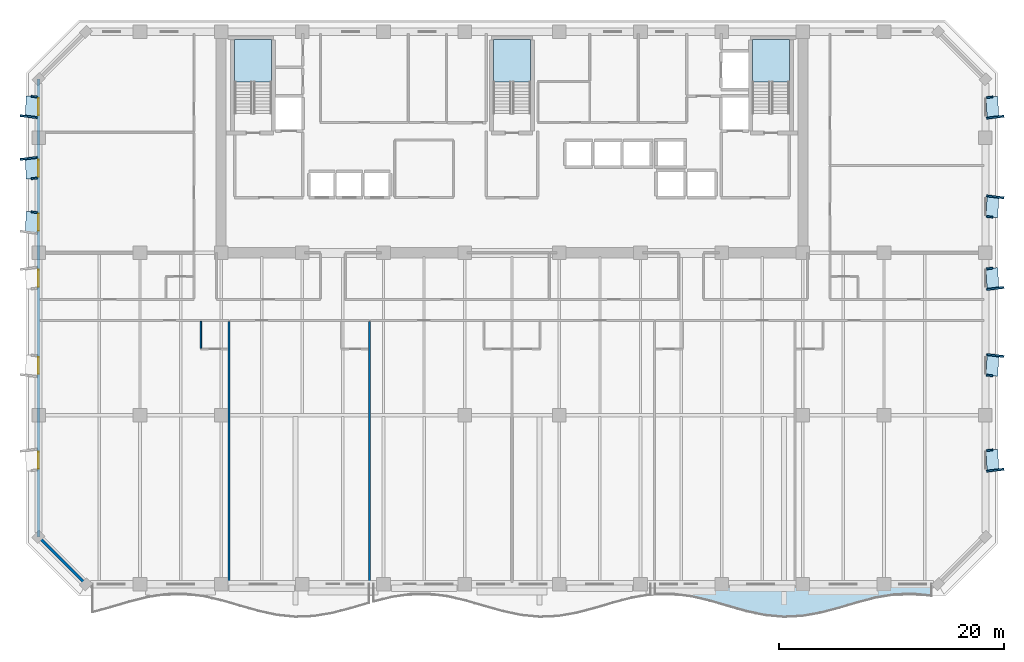
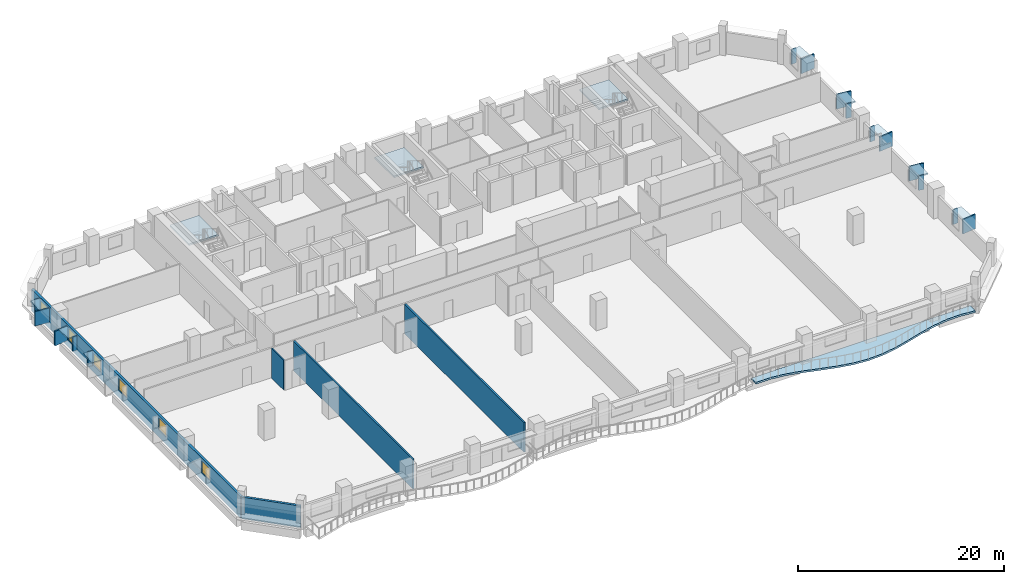
# One storey, part 3 of 15: 23 plates, 6 windows, 5 walls, 4 slabs, 6 openings, 3 elements without a shape of their own.
"""IFC4 building model written with IfcOpenShell, lengths in metres."""

import ifcopenshell
import ifcopenshell.guid

model = None  # the IFC model being written
_history = None  # IfcOwnerHistory: only IFC2X3 demands one
_inside = {}  # id of a spatial element -> (the spatial element, [elements in it])
_under = {}  # id of a project, library or spatial element -> (it, [spatial elements below it])
_declared = {}  # id of a project -> (the project, [libraries it declares])
_typed = {}  # id of a type object -> (the type object, [elements of that type])
_made_of = {}  # id of a material, layer set ... -> (it, [elements and type objects made of it])


def new_model(schema):
    """Start an empty IFC model of exactly this schema.

    Asked for "IFC4X3", IfcOpenShell would pick the latest addendum, in which some entities
    have other attributes; the version numbers below select the first issue.
    IFC2X3 requires an IfcOwnerHistory on every rooted entity: one is made here for all.
    """
    global model, _history
    if schema == "IFC4X3":
        model = ifcopenshell.file(schema_version=(4, 3, 0, 0))
    else:
        model = ifcopenshell.file(schema=schema)
    _inside.clear()
    _under.clear()
    _declared.clear()
    _typed.clear()
    _made_of.clear()
    _history = None
    if model.schema == "IFC2X3":
        org = make("IfcOrganization", Name="unknown")
        user = make(
            "IfcPersonAndOrganization",
            ThePerson=make("IfcPerson", FamilyName="unknown"),
            TheOrganization=org,
        )
        app = make(
            "IfcApplication",
            ApplicationDeveloper=org,
            Version="unknown",
            ApplicationFullName="unknown",
            ApplicationIdentifier="unknown",
        )
        _history = make(
            "IfcOwnerHistory",
            OwningUser=user,
            OwningApplication=app,
            ChangeAction="ADDED",
            CreationDate=0,
        )
    return model


def make(cls, **values):
    """One entity of the class cls with the attributes given. An attribute that is None is left unset."""
    return model.create_entity(
        cls, **{name: value for name, value in values.items() if value is not None}
    )


def rooted(cls, **values):
    """An entity with a GlobalId (a new one), such as an element, a storey or a relation."""
    return make(cls, GlobalId=ifcopenshell.guid.new(), OwnerHistory=_history, **values)


def si_unit(unit_type, name, prefix=None):
    """IfcSIUnit, for example si_unit("LENGTHUNIT", "METRE", prefix="MILLI")."""
    return make("IfcSIUnit", UnitType=unit_type, Prefix=prefix, Name=name)


def assignment(units):
    """IfcUnitAssignment: the units of a project."""
    return None if units is None else make("IfcUnitAssignment", Units=units)


def point(xyz):
    """IfcCartesianPoint."""
    return None if xyz is None else make("IfcCartesianPoint", Coordinates=xyz)


def direction(xyz):
    """IfcDirection."""
    return None if xyz is None else make("IfcDirection", DirectionRatios=xyz)


def frame(location, z_axis=None, x_axis=None):
    """IfcAxis2Placement3D, a coordinate frame: its origin and axes. An axis left out is left unset."""
    return make(
        "IfcAxis2Placement3D",
        Location=point(location),
        Axis=direction(z_axis),
        RefDirection=direction(x_axis),
    )


def frame_2d(location, x_axis=None):
    """IfcAxis2Placement2D, a coordinate frame in the plane: its origin and x axis."""
    return make(
        "IfcAxis2Placement2D", Location=point(location), RefDirection=direction(x_axis)
    )


def origin():
    """The frame at (0, 0, 0) with its axes left unset."""
    return frame((0.0, 0.0, 0.0))


def origin_2d():
    """The frame at (0, 0) in the plane with its x axis left unset."""
    return frame_2d((0.0, 0.0))


def place(relative_to, where):
    """IfcLocalPlacement: puts the frame where relative to a parent placement (None: the world)."""
    return make(
        "IfcLocalPlacement", PlacementRelTo=relative_to, RelativePlacement=where
    )


def context(
    kind, dimensions, precision=None, world=None, true_north=None, identifier=None
):
    """IfcGeometricRepresentationContext, for example the 3D "Model" context."""
    return make(
        "IfcGeometricRepresentationContext",
        ContextIdentifier=identifier,
        ContextType=kind,
        CoordinateSpaceDimension=dimensions,
        Precision=precision,
        WorldCoordinateSystem=world,
        TrueNorth=true_north,
    )


def subcontext(parent, identifier, kind, view, scale=None):
    """IfcGeometricRepresentationSubContext, for example "Body" below "Model"."""
    return make(
        "IfcGeometricRepresentationSubContext",
        ContextIdentifier=identifier,
        ContextType=kind,
        ParentContext=parent,
        TargetScale=scale,
        TargetView=view,
    )


def project(units=None, contexts=None):
    """IfcProject with its units and contexts."""
    return rooted(
        "IfcProject",
        Name="project",
        RepresentationContexts=contexts,
        UnitsInContext=assignment(units),
    )


def spatial(cls, under=None, at=None, **own):
    """A site, building, storey or space (cls), placed at a placement, below another one or the project."""
    s = rooted(cls, ObjectPlacement=at, **own)
    if under is not None:
        _under.setdefault(under.id(), (under, []))[1].append(s)
    return s


def polyline(points):
    """IfcPolyline through the points."""
    return make("IfcPolyline", Points=[point(p) for p in points])


def profile(cls, at=None, kind="AREA", **sizes):
    """A parametric profile (cls). Its sizes go by their IFC names, for example OverallWidth=200.0."""
    return make(cls, ProfileType=kind, Position=at, **sizes)


def rectangle(**sizes):
    """IfcRectangleProfileDef."""
    return profile("IfcRectangleProfileDef", **sizes)


def outline(outer, holes=None, kind="AREA"):
    """IfcArbitraryClosedProfileDef: a profile drawn as a closed curve; with holes, ...WithVoids."""
    if holes is None:
        return make("IfcArbitraryClosedProfileDef", ProfileType=kind, OuterCurve=outer)
    return make(
        "IfcArbitraryProfileDefWithVoids",
        ProfileType=kind,
        OuterCurve=outer,
        InnerCurves=holes,
    )


def extrude(swept, where, along, depth):
    """IfcExtrudedAreaSolid: the profile swept, set in the frame where, extruded along a direction by depth."""
    return make(
        "IfcExtrudedAreaSolid",
        SweptArea=swept,
        Position=where,
        ExtrudedDirection=direction(along),
        Depth=depth,
    )


def shape(context_of_items, identifier, shape_type, items):
    """IfcShapeRepresentation: the items that make up one representation, for example the "Body"."""
    return make(
        "IfcShapeRepresentation",
        ContextOfItems=context_of_items,
        RepresentationIdentifier=identifier,
        RepresentationType=shape_type,
        Items=items,
    )


def material(Name=None, Category=None):
    """IfcMaterial."""
    return make("IfcMaterial", Name=Name, Category=Category)


def layer(
    of_material, thickness, ventilated=None, Name=None, Category=None, Priority=None
):
    """IfcMaterialLayer: one layer of a wall or slab, of a material (None: an air gap)."""
    return make(
        "IfcMaterialLayer",
        Material=of_material,
        LayerThickness=thickness,
        IsVentilated=ventilated,
        Name=Name,
        Category=Category,
        Priority=Priority,
    )


def layer_set(layers, Name=None):
    """IfcMaterialLayerSet."""
    return make("IfcMaterialLayerSet", MaterialLayers=layers, LayerSetName=Name)


def made_of(thing, what):
    """Note that an element or type object is made of a material, layer set ...; save() writes the relation."""
    if what is not None:
        _made_of.setdefault(what.id(), (what, []))[1].append(thing)
    return thing


def type_object(cls, material=None, **own):
    """A type object (cls), such as IfcWallType, which elements share."""
    return made_of(rooted(cls, **own), material)


def element(
    cls,
    number,
    at=None,
    inside=None,
    cuts=None,
    type_object=None,
    material=None,
    context=None,
    identifier="Body",
    shape_type=None,
    held_by="IfcProductDefinitionShape",
    body=None,
    shapes=None,
    **own,
):
    """One element of the class cls, such as IfcWall. Its Tag is "e" and its number.

    at: its placement. inside: the storey or other place that contains it. cuts: it is an
    opening in that element (IfcRelVoidsElement). A single representation is given by context,
    identifier, shape_type and body (its items); several are given by shapes. held_by: the class
    of the entity that holds the representations. save() writes the other relations.
    """
    e = rooted(cls, Tag="e%d" % number, ObjectPlacement=at, **own)
    if body is not None:
        shapes = [shape(context, identifier, shape_type, body)]
    if shapes is not None:
        e.Representation = make(held_by, Representations=shapes)
    if inside is not None:
        _inside.setdefault(inside.id(), (inside, []))[1].append(e)
    if cuts is not None:
        rooted(
            "IfcRelVoidsElement", RelatingBuildingElement=cuts, RelatedOpeningElement=e
        )
    if type_object is not None:
        _typed.setdefault(type_object.id(), (type_object, []))[1].append(e)
    return made_of(e, material)


def fill(opening, filler):
    """IfcRelFillsElement: the door or window that sits in an opening."""
    return rooted(
        "IfcRelFillsElement",
        RelatingOpeningElement=opening,
        RelatedBuildingElement=filler,
    )


def aggregate(whole, parts):
    """IfcRelAggregates: a whole, such as a stair, and the parts it consists of."""
    return rooted("IfcRelAggregates", RelatingObject=whole, RelatedObjects=parts)


def save(model, path):
    """Write the relations noted so far, then the file.

    IfcRelAggregates (storeys below a building ...), IfcRelContainedInSpatialStructure (elements
    in a storey), IfcRelDefinesByType, IfcRelAssociatesMaterial and IfcRelDeclares: one each for
    every whole, place, type object, material and project.
    """
    for whole, parts in _under.values():
        aggregate(whole, parts)
    for where, things in _inside.values():
        rooted(
            "IfcRelContainedInSpatialStructure",
            RelatedElements=things,
            RelatingStructure=where,
        )
    for kind, things in _typed.values():
        rooted("IfcRelDefinesByType", RelatedObjects=things, RelatingType=kind)
    for what, things in _made_of.values():
        rooted("IfcRelAssociatesMaterial", RelatedObjects=things, RelatingMaterial=what)
    for by, libraries in _declared.values():
        rooted("IfcRelDeclares", RelatingContext=by, RelatedDefinitions=libraries)
    model.write(path)


model = new_model("IFC4")

# Units and contexts
model_context = context("Model", 3, precision=1e-05, world=origin(), true_north=direction((0.0, 1.0)))
body_context = subcontext(model_context, "Body", "Model", "MODEL_VIEW")
ifc_project = project(units=[si_unit("LENGTHUNIT", "METRE"), si_unit("AREAUNIT", "SQUARE_METRE"), si_unit("VOLUMEUNIT", "CUBIC_METRE"), si_unit("PLANEANGLEUNIT", "RADIAN"), si_unit("MASSUNIT", "GRAM", prefix="KILO")], contexts=[model_context])

# Site, building, storey
site_placement = place(None, origin())
site = spatial("IfcSite", under=ifc_project, at=site_placement, CompositionType="ELEMENT")
building_placement = place(site_placement, origin())
building = spatial("IfcBuilding", under=site, at=building_placement, Name="Kaelvorn Grand Hotel", CompositionType="ELEMENT")
storey_placement = place(building_placement, frame((0.0, 0.0, 115.550048828125)))
storey = spatial("IfcBuildingStorey", under=building, at=storey_placement, Name="L27", CompositionType="ELEMENT", Elevation=115.550048828125)

# Plates
ifc_material_1 = material(Name="Precast concrete C45/55", Category="concrete")
ifc_layer_1 = layer(ifc_material_1, 0.159912109375)
ifc_layer_set_1 = layer_set([ifc_layer_1], Name="Precast concrete C45/55")
plate_type_1 = type_object("IfcPlateType", Name="PL-FRAME-DEEP-1550", PredefinedType="USERDEFINED", material=ifc_layer_set_1)
for number, where, z_axis, x_axis, name in (
    (1, (84.864990234375, 10.110107421875, 0.68994140625), (0.0, 0.0, 1.0), (-0.121869343405, 0.992546151641, 0.0), "L27 Tilted Precast Window Frame Fin L-E01"),
    (2, (84.864990234375, 20.2900390625, 0.68994140625), (0.0, 0.0, 1.0), (0.121869343405, 0.992546151641, 0.0), "L27 Tilted Precast Window Frame Fin R-E02"),
    (3, (84.864990234375, 26.235107421875, 0.68994140625), (0.0, 0.0, 1.0), (-0.121869343405, 0.992546151641, 0.0), "L27 Tilted Precast Window Frame Fin L-E03"),
    (4, (84.864990234375, 34.364990234375, 0.68994140625), (0.0, 0.0, 1.0), (0.121869343405, 0.992546151641, 0.0), "L27 Tilted Precast Window Frame Fin R-E04"),
    (5, (84.864990234375, 41.425048828125, 0.68994140625), (0.0, 0.0, 1.0), (-0.121869343405, 0.992546151641, 0.0), "L27 Tilted Precast Window Frame Fin L-E05"),
    (6, (-0.864990234375, 37.77490234375, 0.68994140625), (0.0, 0.0, 1.0), (-0.121869343405, 0.992546151641, 0.0), "L27 Tilted Precast Window Frame Fin R-W05"),
    (7, (-0.864990234375, 41.47509765625, 0.68994140625), (0.0, 0.0, 1.0), (0.121869343405, 0.992546151641, 0.0), "L27 Tilted Precast Window Frame Fin L-W06"),
):
    element("IfcPlate", number, at=place(storey_placement, frame(where, z_axis=z_axis, x_axis=x_axis)), inside=storey, type_object=plate_type_1, Name=name, ObjectType="FLANGE_PLATE", PredefinedType="USERDEFINED", context=body_context, shape_type="SweptSolid", body=[
        extrude(rectangle(XDim=0.159912109375, YDim=1.550048828125, at=origin_2d()), origin(), (0.0, 0.0, 1.0), 1.719970703125),
    ])
ifc_layer_2 = layer(ifc_material_1, 0.159912109375)
ifc_layer_set_2 = layer_set([ifc_layer_2], Name="Precast concrete C45/55")
plate_type_2 = type_object("IfcPlateType", Name="PL-FRAME-HEAD-1050", PredefinedType="USERDEFINED", material=ifc_layer_set_2)
for number, where, z_axis, x_axis, name in (
    (8, (84.614990234375, 11.0, 2.25), (0.0, 0.0, 1.0), (-0.054950179912, 0.998489097451, 0.0), "L27 Precast Window Frame Head Hood H-E01"),
    (9, (84.614990234375, 19.39990234375, 2.25), (0.0, 0.0, 1.0), (0.054950179912, 0.998489097451, 0.0), "L27 Precast Window Frame Head Hood H-E02"),
    (10, (84.614990234375, 27.125, 2.25), (0.0, 0.0, 1.0), (-0.054950179912, 0.998489097451, 0.0), "L27 Precast Window Frame Head Hood H-E03"),
    (11, (84.614990234375, 33.47509765625, 2.25), (0.0, 0.0, 1.0), (0.054950179912, 0.998489097451, 0.0), "L27 Precast Window Frame Head Hood H-E04"),
    (12, (84.614990234375, 42.31494140625, 2.25), (0.0, 0.0, 1.0), (-0.054950179912, 0.998489097451, 0.0), "L27 Precast Window Frame Head Hood H-E05"),
    (13, (-0.614990234375, 32.114990234375, 2.25), (0.0, 0.0, 1.0), (0.054950179912, 0.998489097451, 0.0), "L27 Precast Window Frame Head Hood H-W04"),
    (14, (-0.614990234375, 36.885009765625, 2.25), (0.0, 0.0, 1.0), (-0.054950179912, 0.998489097451, 0.0), "L27 Precast Window Frame Head Hood H-W05"),
    (15, (-0.614990234375, 42.364990234375, 2.25), (0.0, 0.0, 1.0), (0.054950179912, 0.998489097451, 0.0), "L27 Precast Window Frame Head Hood H-W06"),
):
    element("IfcPlate", number, at=place(storey_placement, frame(where, z_axis=z_axis, x_axis=x_axis)), inside=storey, type_object=plate_type_2, Name=name, ObjectType="FLANGE_PLATE", PredefinedType="USERDEFINED", context=body_context, shape_type="SweptSolid", body=[
        extrude(rectangle(XDim=1.860107421875, YDim=1.050048828125, at=origin_2d()), origin(), (0.0, 0.0, 1.0), 0.159912109375),
    ])
ifc_layer_3 = layer(ifc_material_1, 0.159912109375)
ifc_layer_set_3 = layer_set([ifc_layer_3], Name="Precast concrete C45/55")
plate_type_3 = type_object("IfcPlateType", Name="PL-FRAME-SHAL-550", PredefinedType="USERDEFINED", material=ifc_layer_set_3)
for number, where, z_axis, x_axis, name in (
    (16, (84.364990234375, 11.889892578125, 0.68994140625), (0.0, 0.0, 1.0), (-0.121869343405, 0.992546151641, 0.0), "L27 Tilted Precast Window Frame Fin R-E01"),
    (17, (84.364990234375, 18.510009765625, 0.68994140625), (0.0, 0.0, 1.0), (0.121869343405, 0.992546151641, 0.0), "L27 Tilted Precast Window Frame Fin L-E02"),
    (18, (84.364990234375, 28.014892578125, 0.68994140625), (0.0, 0.0, 1.0), (-0.121869343405, 0.992546151641, 0.0), "L27 Tilted Precast Window Frame Fin R-E03"),
    (19, (84.364990234375, 32.5849609375, 0.68994140625), (0.0, 0.0, 1.0), (0.121869343405, 0.992546151641, 0.0), "L27 Tilted Precast Window Frame Fin L-E04"),
    (20, (84.364990234375, 43.205078125, 0.68994140625), (0.0, 0.0, 1.0), (-0.121869343405, 0.992546151641, 0.0), "L27 Tilted Precast Window Frame Fin R-E05"),
    (21, (-0.364990234375, 33.0048828125, 0.68994140625), (0.0, 0.0, 1.0), (0.121869343405, 0.992546151641, 0.0), "L27 Tilted Precast Window Frame Fin R-W04"),
    (22, (-0.364990234375, 35.9951171875, 0.68994140625), (0.0, 0.0, 1.0), (-0.121869343405, 0.992546151641, 0.0), "L27 Tilted Precast Window Frame Fin L-W05"),
    (23, (-0.364990234375, 43.2548828125, 0.68994140625), (0.0, 0.0, 1.0), (0.121869343405, 0.992546151641, 0.0), "L27 Tilted Precast Window Frame Fin R-W06"),
):
    element("IfcPlate", number, at=place(storey_placement, frame(where, z_axis=z_axis, x_axis=x_axis)), inside=storey, type_object=plate_type_3, Name=name, ObjectType="FLANGE_PLATE", PredefinedType="USERDEFINED", context=body_context, shape_type="SweptSolid", body=[
        extrude(rectangle(XDim=0.159912109375, YDim=0.550048828125, at=origin_2d()), origin(), (0.0, 0.0, 1.0), 1.719970703125),
    ])

# Slab
ifc_material_2 = material(Name="Concrete C40/50", Category="concrete")
ifc_layer_4 = layer(ifc_material_2, 0.219970703125)
ifc_layer_set_4 = layer_set([ifc_layer_4], Name="Concrete C40/50")
slab_type_1 = type_object("IfcSlabType", Name="SLB-BALC-220-C40", PredefinedType="FLOOR", material=ifc_layer_set_4)
slab_1_placement = place(storey_placement, frame((0.0, 0.0, -0.219970703125)))
element("IfcSlab", 24, at=slab_1_placement, inside=storey, type_object=slab_type_1, Name="L27 Scalloped Wave Balcony Slab 3", PredefinedType="FLOOR", context=body_context, shape_type="SweptSolid", body=[
    extrude(outline(polyline([(54.666748046875, -0.884521484375), (56.30224609375, -0.873779296875), (57.937744140625, -1.08544921875), (59.5732421875, -1.47265625), (61.208984375, -1.94921875), (62.844482421875, -2.4091796875), (64.47998046875, -2.75048828125), (66.115478515625, -2.8974609375), (67.751220703125, -2.817138671875), (69.38671875, -2.52783203125), (71.022216796875, -2.09326171875), (72.65771484375, -1.6103515625), (74.293212890625, -1.186279296875), (75.928955078125, -0.9150390625), (77.564453125, -0.857177734375), (79.199951171875, -1.025146484375), (79.199951171875, 0.0), (54.666748046875, 0.0), (54.666748046875, -0.884521484375)])), origin(), (0.0, 0.0, 1.0), 0.219970703125),
])

# Stair, slab
stair_type = type_object("IfcStairType", Name="STR-DOG-1560-R06", PredefinedType="HALF_TURN_STAIR", material=ifc_material_2)
stair_1_placement = place(storey_placement, origin())
stair_1 = element("IfcStair", 25, at=stair_1_placement, inside=storey, type_object=stair_type, Name="L27 West Core Exit Stair ST1", PredefinedType="HALF_TURN_STAIR")
ifc_layer_5 = layer(ifc_material_2, 0.199951171875)
ifc_layer_set_5 = layer_set([ifc_layer_5], Name="Concrete C40/50")
slab_type_2 = type_object("IfcSlabType", Name="SLB-LAND-200-C40", PredefinedType="LANDING", material=ifc_layer_set_5)
slab_2_placement = place(storey_placement, frame((0.0, 0.0, 1.675048828125)))
slab_2 = element("IfcSlab", 26, at=slab_2_placement, type_object=slab_type_2, Name="ST1 landing 1", PredefinedType="LANDING", context=body_context, shape_type="SweptSolid", body=[
    extrude(outline(polyline([(20.679931640625, 44.56005859375), (20.679931640625, 48.300048828125), (17.39990234375, 48.300048828125), (17.39990234375, 44.56005859375), (20.679931640625, 44.56005859375)])), origin(), (0.0, 0.0, 1.0), 0.199951171875),
])
aggregate(stair_1, [slab_2])

stair_2_placement = place(storey_placement, origin())
stair_2 = element("IfcStair", 27, at=stair_2_placement, inside=storey, type_object=stair_type, Name="L27 Central Core Exit Stair ST2", PredefinedType="HALF_TURN_STAIR")
slab_3_placement = place(storey_placement, frame((0.0, 0.0, 1.675048828125)))
slab_3 = element("IfcSlab", 28, at=slab_3_placement, type_object=slab_type_2, Name="ST2 landing 1", PredefinedType="LANDING", context=body_context, shape_type="SweptSolid", body=[
    extrude(outline(polyline([(43.639892578125, 44.56005859375), (43.639892578125, 48.300048828125), (40.360107421875, 48.300048828125), (40.360107421875, 44.56005859375), (43.639892578125, 44.56005859375)])), origin(), (0.0, 0.0, 1.0), 0.199951171875),
])
aggregate(stair_2, [slab_3])

stair_3_placement = place(storey_placement, origin())
stair_3 = element("IfcStair", 29, at=stair_3_placement, inside=storey, type_object=stair_type, Name="L27 East Core Exit Stair ST3", PredefinedType="HALF_TURN_STAIR")
slab_4_placement = place(storey_placement, frame((0.0, 0.0, 1.675048828125)))
slab_4 = element("IfcSlab", 30, at=slab_4_placement, type_object=slab_type_2, Name="ST3 landing 1", PredefinedType="LANDING", context=body_context, shape_type="SweptSolid", body=[
    extrude(outline(polyline([(66.60009765625, 44.56005859375), (66.60009765625, 48.300048828125), (63.320068359375, 48.300048828125), (63.320068359375, 44.56005859375), (66.60009765625, 44.56005859375)])), origin(), (0.0, 0.0, 1.0), 0.199951171875),
])
aggregate(stair_3, [slab_4])

# Wall, openings, windows
ifc_layer_6 = layer(ifc_material_2, 0.260009765625)
ifc_layer_set_6 = layer_set([ifc_layer_6], Name="Concrete C40/50")
wall_type_1 = type_object("IfcWallType", Name="WL-EXT-260-C40", PredefinedType="SOLIDWALL", material=ifc_layer_set_6)
wall_1_placement = place(storey_placement, frame((0.0, 44.800048828125, 0.0), z_axis=(0.0, 0.0, 1.0), x_axis=(0.0, -1.0, 0.0)))
wall_1 = element("IfcWall", 31, at=wall_1_placement, inside=storey, type_object=wall_type_1, Name="L27 Exterior Architectural Concrete Wall 07", PredefinedType="SOLIDWALL", context=body_context, shape_type="SweptSolid", body=[
    extrude(rectangle(XDim=40.60009765625, YDim=0.260009765625, at=frame_2d((20.300048828125, 0.0))), origin(), (0.0, 0.0, 1.0), 2.56005859375),
])
opening_1_placement = place(wall_1_placement, frame((33.050048828125, 0.0, 0.85009765625)))
opening_1 = element("IfcOpeningElement", 32, at=opening_1_placement, cuts=wall_1, Name="Opening W10", PredefinedType="OPENING", context=body_context, shape_type="SweptSolid", body=[
    extrude(rectangle(XDim=1.5, YDim=1.39990234375, at=frame_2d((0.75, 0.699951171875))), frame((0.0, 0.14013671875, 0.0), z_axis=(0.0, -1.0, 0.0), x_axis=(1.0, 0.0, 0.0)), (0.0, 0.0, 1.0), 0.280029296875),
])
opening_2_placement = place(wall_1_placement, frame((24.64990234375, 0.0, 0.85009765625)))
opening_2 = element("IfcOpeningElement", 33, at=opening_2_placement, cuts=wall_1, Name="Opening W10", PredefinedType="OPENING", context=body_context, shape_type="SweptSolid", body=[
    extrude(rectangle(XDim=1.5, YDim=1.39990234375, at=frame_2d((0.75, 0.699951171875))), frame((0.0, 0.14013671875, 0.0), z_axis=(0.0, -1.0, 0.0), x_axis=(1.0, 0.0, 0.0)), (0.0, 0.0, 1.0), 0.280029296875),
])
opening_3_placement = place(wall_1_placement, frame((16.925048828125, 0.0, 0.85009765625)))
opening_3 = element("IfcOpeningElement", 34, at=opening_3_placement, cuts=wall_1, Name="Opening W10", PredefinedType="OPENING", context=body_context, shape_type="SweptSolid", body=[
    extrude(rectangle(XDim=1.5, YDim=1.39990234375, at=frame_2d((0.75, 0.699951171875))), frame((0.0, 0.14013671875, 0.0), z_axis=(0.0, -1.0, 0.0), x_axis=(1.0, 0.0, 0.0)), (0.0, 0.0, 1.0), 0.280029296875),
])
opening_4_placement = place(wall_1_placement, frame((11.93505859375, 0.0, 0.85009765625)))
opening_4 = element("IfcOpeningElement", 35, at=opening_4_placement, cuts=wall_1, Name="Opening W10", PredefinedType="OPENING", context=body_context, shape_type="SweptSolid", body=[
    extrude(rectangle(XDim=1.5, YDim=1.39990234375, at=frame_2d((0.75, 0.699951171875))), frame((0.0, 0.14013671875, 0.0), z_axis=(0.0, -1.0, 0.0), x_axis=(1.0, 0.0, 0.0)), (0.0, 0.0, 1.0), 0.280029296875),
])
opening_5_placement = place(wall_1_placement, frame((7.1650390625, 0.0, 0.85009765625)))
opening_5 = element("IfcOpeningElement", 36, at=opening_5_placement, cuts=wall_1, Name="Opening W10", PredefinedType="OPENING", context=body_context, shape_type="SweptSolid", body=[
    extrude(rectangle(XDim=1.5, YDim=1.39990234375, at=frame_2d((0.75, 0.699951171875))), frame((0.0, 0.14013671875, 0.0), z_axis=(0.0, -1.0, 0.0), x_axis=(1.0, 0.0, 0.0)), (0.0, 0.0, 1.0), 0.280029296875),
])
opening_6_placement = place(wall_1_placement, frame((1.68505859375, 0.0, 0.85009765625)))
opening_6 = element("IfcOpeningElement", 37, at=opening_6_placement, cuts=wall_1, Name="Opening W10", PredefinedType="OPENING", context=body_context, shape_type="SweptSolid", body=[
    extrude(rectangle(XDim=1.5, YDim=1.39990234375, at=frame_2d((0.75, 0.699951171875))), frame((0.0, 0.14013671875, 0.0), z_axis=(0.0, -1.0, 0.0), x_axis=(1.0, 0.0, 0.0)), (0.0, 0.0, 1.0), 0.280029296875),
])
ifc_material_3 = material(Name="Laminated Low-E Glass", Category="glass")
window_type = type_object("IfcWindowType", Name="WIN-COR-1500x1400", PartitioningType="SINGLE_PANEL", PredefinedType="WINDOW", material=ifc_material_3)
window_1_placement = place(opening_1_placement, origin())
window_1 = element("IfcWindow", 38, at=window_1_placement, inside=storey, type_object=window_type, Name="L27 W Wing Tilted-Frame Ribbon Window W01", OverallHeight=1.39990234375, OverallWidth=1.5, PartitioningType="SINGLE_PANEL", PredefinedType="WINDOW", context=body_context, shape_type="SweptSolid", body=[
    extrude(rectangle(XDim=1.5, YDim=1.39990234375, at=frame_2d((0.75, 0.699951171875))), frame((0.0, 0.030029296875, 0.0), z_axis=(0.0, -1.0, 0.0), x_axis=(1.0, 0.0, 0.0)), (0.0, 0.0, 1.0), 0.06005859375),
])
fill(opening_1, window_1)
window_2_placement = place(opening_2_placement, origin())
window_2 = element("IfcWindow", 39, at=window_2_placement, inside=storey, type_object=window_type, Name="L27 W Wing Tilted-Frame Ribbon Window W02", OverallHeight=1.39990234375, OverallWidth=1.5, PartitioningType="SINGLE_PANEL", PredefinedType="WINDOW", context=body_context, shape_type="SweptSolid", body=[
    extrude(rectangle(XDim=1.5, YDim=1.39990234375, at=frame_2d((0.75, 0.699951171875))), frame((0.0, 0.030029296875, 0.0), z_axis=(0.0, -1.0, 0.0), x_axis=(1.0, 0.0, 0.0)), (0.0, 0.0, 1.0), 0.06005859375),
])
fill(opening_2, window_2)
window_3_placement = place(opening_3_placement, origin())
window_3 = element("IfcWindow", 40, at=window_3_placement, inside=storey, type_object=window_type, Name="L27 W Wing Tilted-Frame Ribbon Window W03", OverallHeight=1.39990234375, OverallWidth=1.5, PartitioningType="SINGLE_PANEL", PredefinedType="WINDOW", context=body_context, shape_type="SweptSolid", body=[
    extrude(rectangle(XDim=1.5, YDim=1.39990234375, at=frame_2d((0.75, 0.699951171875))), frame((0.0, 0.030029296875, 0.0), z_axis=(0.0, -1.0, 0.0), x_axis=(1.0, 0.0, 0.0)), (0.0, 0.0, 1.0), 0.06005859375),
])
fill(opening_3, window_3)
window_4_placement = place(opening_4_placement, origin())
window_4 = element("IfcWindow", 41, at=window_4_placement, inside=storey, type_object=window_type, Name="L27 W Wing Tilted-Frame Ribbon Window W04", OverallHeight=1.39990234375, OverallWidth=1.5, PartitioningType="SINGLE_PANEL", PredefinedType="WINDOW", context=body_context, shape_type="SweptSolid", body=[
    extrude(rectangle(XDim=1.5, YDim=1.39990234375, at=frame_2d((0.75, 0.699951171875))), frame((0.0, 0.030029296875, 0.0), z_axis=(0.0, -1.0, 0.0), x_axis=(1.0, 0.0, 0.0)), (0.0, 0.0, 1.0), 0.06005859375),
])
fill(opening_4, window_4)
window_5_placement = place(opening_5_placement, origin())
window_5 = element("IfcWindow", 42, at=window_5_placement, inside=storey, type_object=window_type, Name="L27 W Wing Tilted-Frame Ribbon Window W05", OverallHeight=1.39990234375, OverallWidth=1.5, PartitioningType="SINGLE_PANEL", PredefinedType="WINDOW", context=body_context, shape_type="SweptSolid", body=[
    extrude(rectangle(XDim=1.5, YDim=1.39990234375, at=frame_2d((0.75, 0.699951171875))), frame((0.0, 0.030029296875, 0.0), z_axis=(0.0, -1.0, 0.0), x_axis=(1.0, 0.0, 0.0)), (0.0, 0.0, 1.0), 0.06005859375),
])
fill(opening_5, window_5)
window_6_placement = place(opening_6_placement, origin())
window_6 = element("IfcWindow", 43, at=window_6_placement, inside=storey, type_object=window_type, Name="L27 W Wing Tilted-Frame Ribbon Window W06", OverallHeight=1.39990234375, OverallWidth=1.5, PartitioningType="SINGLE_PANEL", PredefinedType="WINDOW", context=body_context, shape_type="SweptSolid", body=[
    extrude(rectangle(XDim=1.5, YDim=1.39990234375, at=frame_2d((0.75, 0.699951171875))), frame((0.0, 0.030029296875, 0.0), z_axis=(0.0, -1.0, 0.0), x_axis=(1.0, 0.0, 0.0)), (0.0, 0.0, 1.0), 0.06005859375),
])
fill(opening_6, window_6)

# Walls
wall_2_placement = place(storey_placement, frame((0.0, 4.199951171875, 0.0), z_axis=(0.0, 0.0, 1.0), x_axis=(0.707106781187, -0.707106781187, 0.0)))
element("IfcWall", 44, at=wall_2_placement, inside=storey, type_object=wall_type_1, Name="L27 Exterior Architectural Concrete Wall 08", PredefinedType="SOLIDWALL", context=body_context, shape_type="SweptSolid", body=[
    extrude(rectangle(XDim=5.939697265625, YDim=0.260009765625, at=frame_2d((2.9697265625, 0.0))), origin(), (0.0, 0.0, 1.0), 2.56005859375),
])
ifc_material_4 = material(Name="Moisture-Resistant Tile & Stud Board")
ifc_layer_7 = layer(ifc_material_4, 0.125)
ifc_layer_set_7 = layer_set([ifc_layer_7], Name="Moisture-Resistant Tile & Stud Board")
wall_type_2 = type_object("IfcWallType", Name="WL-PART-125-WET", PredefinedType="PARTITIONING", material=ifc_layer_set_7)
wall_3_placement = place(storey_placement, frame((14.399658203125, 20.91748046875, 0.0), z_axis=(0.0, 0.0, 1.0), x_axis=(0.0, 1.0, 0.0)))
element("IfcWall", 45, at=wall_3_placement, inside=storey, type_object=wall_type_2, Name="L27 En-suite Bathroom L27-01 W Partition", PredefinedType="PARTITIONING", context=body_context, shape_type="SweptSolid", body=[
    extrude(rectangle(XDim=2.387451171875, YDim=0.125, at=frame_2d((1.19384765625, 0.0))), origin(), (0.0, 0.0, 1.0), 3.510009765625),
])
ifc_material_5 = material(Name="Acoustic Gypsum & Stud Partition")
ifc_layer_8 = layer(ifc_material_5, 0.179931640625)
ifc_layer_set_8 = layer_set([ifc_layer_8], Name="Acoustic Gypsum & Stud Partition")
wall_type_3 = type_object("IfcWallType", Name="WL-PART-180-EI60", PredefinedType="PARTITIONING", material=ifc_layer_set_8)
for number, where, z_axis, x_axis, name in (
    (46, (16.899658203125, 0.14990234375, 0.0), (0.0, 0.0, 1.0), (0.0, 1.0, 0.0), "L27 Presidential Sky Suite L27-01 E Partition"),
    (47, (29.349609375, 0.14990234375, 0.0), (0.0, 0.0, 1.0), (0.0, 1.0, 0.0), "L27 Presidential Sky Suite L27-02 E Partition"),
):
    element("IfcWall", number, at=place(storey_placement, frame(where, z_axis=z_axis, x_axis=x_axis)), inside=storey, type_object=wall_type_3, Name=name, PredefinedType="PARTITIONING", context=body_context, shape_type="SweptSolid", body=[
        extrude(rectangle(XDim=23.155029296875, YDim=0.179931640625, at=frame_2d((11.57763671875, 0.0))), origin(), (0.0, 0.0, 1.0), 3.510009765625),
    ])

save(model, "model.ifc")
